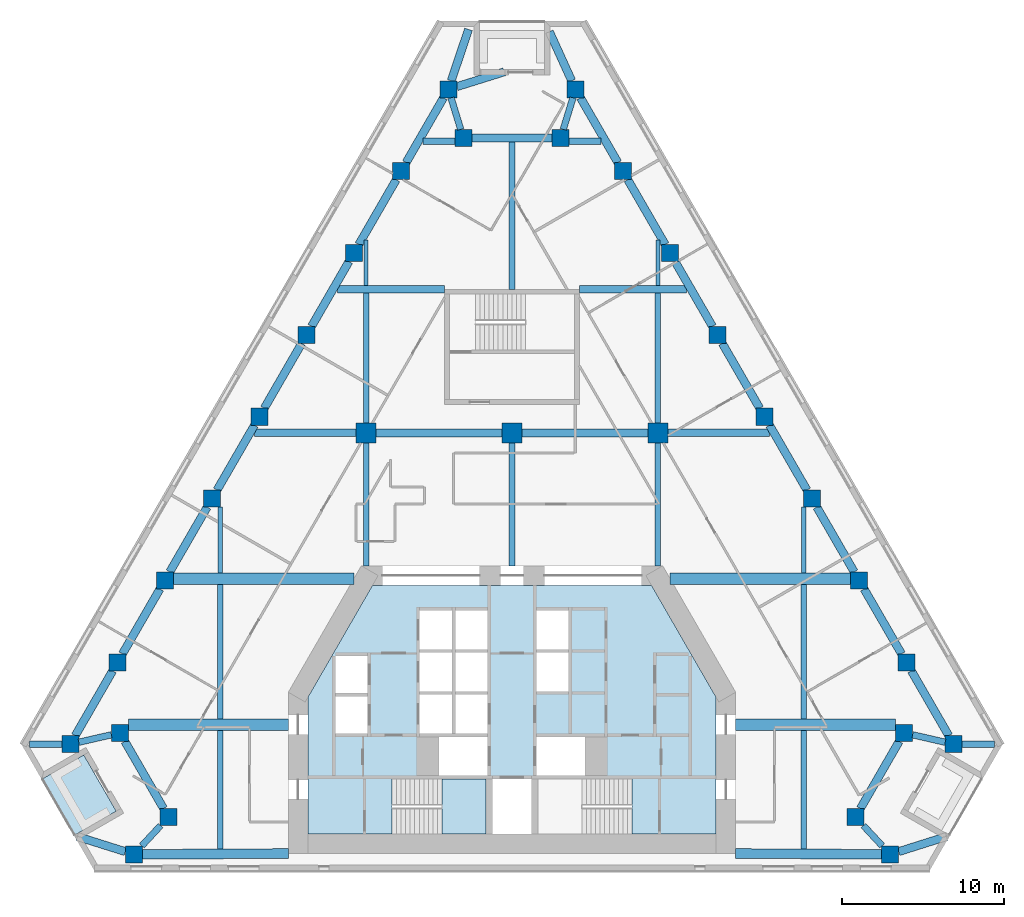
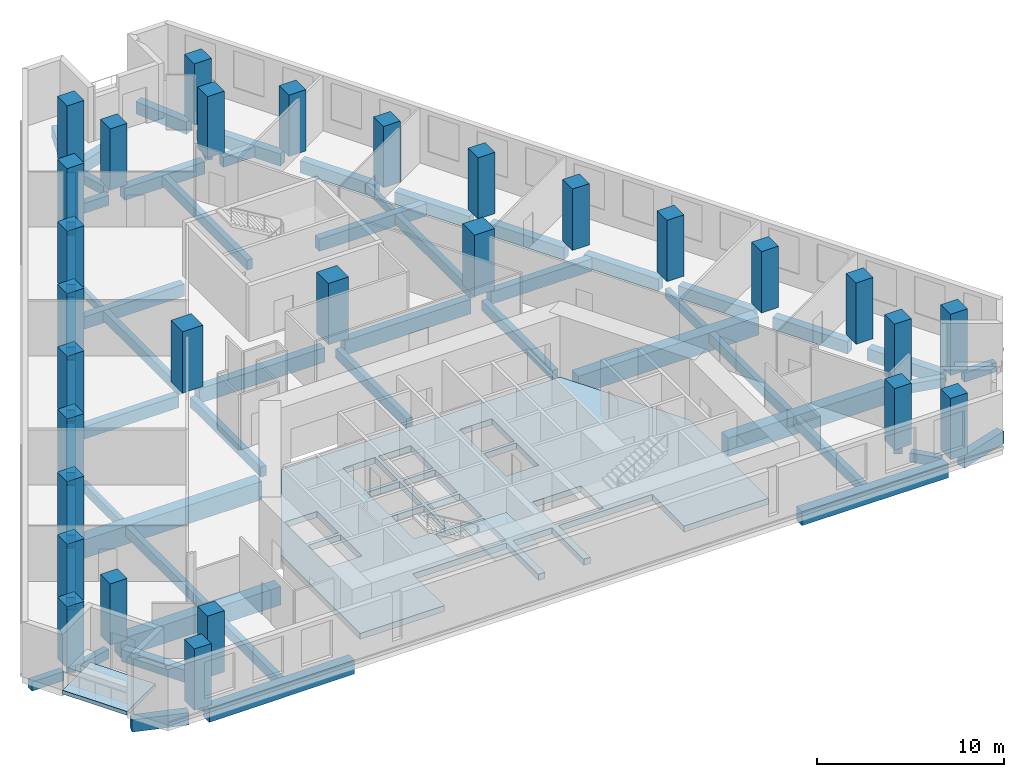
# One storey, part 1 of 10: 60 beams, 29 columns, 3 slabs, 1 element without a shape of its own.
"""IFC4 building model written with IfcOpenShell, lengths in metres."""

from ifc_helpers import new_model, si_unit, direction, frame, origin, origin_2d, place, context, subcontext, project, spatial, polyline, rectangle, outline, extrude, material, layer, layer_set, material_profile, profile_set, type_object, element, aggregate, save


model = new_model("IFC4")

# Units and contexts
model_context = context("Model", 3, precision=1e-05, world=origin(), true_north=direction((0.0, 1.0)))
body_context = subcontext(model_context, "Body", "Model", "MODEL_VIEW")
ifc_project = project(units=[si_unit("LENGTHUNIT", "METRE"), si_unit("AREAUNIT", "SQUARE_METRE"), si_unit("VOLUMEUNIT", "CUBIC_METRE"), si_unit("PLANEANGLEUNIT", "RADIAN"), si_unit("MASSUNIT", "GRAM", prefix="KILO")], contexts=[model_context])

# Site, building, storey
site_placement = place(None, origin())
site = spatial("IfcSite", under=ifc_project, at=site_placement, CompositionType="ELEMENT")
building_placement = place(site_placement, origin())
building = spatial("IfcBuilding", under=site, at=building_placement, Name="Fogline Exchange Tower", CompositionType="ELEMENT")
storey_placement = place(building_placement, frame((0.0, 0.0, 112.10009765625)))
storey = spatial("IfcBuildingStorey", under=building, at=storey_placement, Name="L24", CompositionType="ELEMENT", Elevation=112.10009765625)

# Columns
ifc_material_1 = material(Name="Concrete C70", Category="concrete")
ifc_material_profile_1 = material_profile(ifc_material_1, rectangle(XDim=1.25, YDim=1.25, at=origin_2d()), Name="RC 1250x1250")
ifc_profile_set_1 = profile_set([ifc_material_profile_1], Name="Concrete C70")
column_type_1 = type_object("IfcColumnType", Name="C03", PredefinedType="COLUMN", material=ifc_profile_set_1)
for number, where, z_axis, x_axis, name in (
    (1, (-9.0, 27.0, 0.0), (0.0, 0.0, 1.0), (1.0, 0.0, 0.0), "IC--9-27"),
    (2, (0.0, 27.0, 0.0), (0.0, 0.0, 1.0), (1.0, 0.0, 0.0), "IC-0-27"),
    (3, (9.0, 27.0, 0.0), (0.0, 0.0, 1.0), (1.0, 0.0, 0.0), "IC-9-27"),
):
    element("IfcColumn", number, at=place(storey_placement, frame(where, z_axis=z_axis, x_axis=x_axis)), inside=storey, type_object=column_type_1, Name=name, PredefinedType="COLUMN", context=body_context, shape_type="SweptSolid", body=[
        extrude(rectangle(XDim=1.25, YDim=1.25, at=origin_2d()), origin(), (0.0, 0.0, 1.0), 4.0),
    ])
ifc_material_profile_2 = material_profile(ifc_material_1, rectangle(XDim=1.050048828125, YDim=1.050048828125, at=origin_2d()), Name="RC 1050x1050")
ifc_profile_set_2 = profile_set([ifc_material_profile_2], Name="Concrete C70")
column_type_2 = type_object("IfcColumnType", Name="C04", PredefinedType="COLUMN", material=ifc_profile_set_2)
for number, where, z_axis, x_axis, name in (
    (4, (-27.2490234375, 7.794189453125, 0.0), (0.0, 0.0, 1.0), (1.0, 0.0, 0.0), "SW-a"),
    (5, (-24.189697265625, 8.4951171875, 0.0), (0.0, 0.0, 1.0), (1.0, 0.0, 0.0), "SW-p4"),
    (6, (-21.189697265625, 3.299072265625, 0.0), (0.0, 0.0, 1.0), (1.0, 0.0, 0.0), "SW-p3"),
    (7, (-23.326416015625, 1.0, 0.0), (0.0, 0.0, 1.0), (1.0, 0.0, 0.0), "SW-b"),
    (8, (23.326416015625, 1.0, 0.0), (0.0, 0.0, 1.0), (1.0, 0.0, 0.0), "SE-a"),
    (9, (21.189697265625, 3.299072265625, 0.0), (0.0, 0.0, 1.0), (1.0, 0.0, 0.0), "SE-p4"),
    (10, (24.189697265625, 8.4951171875, 0.0), (0.0, 0.0, 1.0), (1.0, 0.0, 0.0), "SE-p3"),
    (11, (27.2490234375, 7.794189453125, 0.0), (0.0, 0.0, 1.0), (1.0, 0.0, 0.0), "SE-b"),
    (12, (24.333251953125, 12.844482421875, 0.0), (0.0, 0.0, 1.0), (1.0, 0.0, 0.0), "E1"),
    (13, (21.41748046875, 17.894775390625, 0.0), (0.0, 0.0, 1.0), (1.0, 0.0, 0.0), "E2"),
    (14, (18.501708984375, 22.945068359375, 0.0), (0.0, 0.0, 1.0), (1.0, 0.0, 0.0), "E3"),
    (15, (15.585693359375, 27.995361328125, 0.0), (0.0, 0.0, 1.0), (1.0, 0.0, 0.0), "E4"),
    (16, (12.669921875, 33.045654296875, 0.0), (0.0, 0.0, 1.0), (1.0, 0.0, 0.0), "E5"),
    (17, (9.754150390625, 38.095947265625, 0.0), (0.0, 0.0, 1.0), (1.0, 0.0, 0.0), "E6"),
    (18, (6.83837890625, 43.146240234375, 0.0), (0.0, 0.0, 1.0), (1.0, 0.0, 0.0), "E7"),
    (19, (3.922607421875, 48.19677734375, 0.0), (0.0, 0.0, 1.0), (1.0, 0.0, 0.0), "N-a"),
    (20, (3.0, 45.19677734375, 0.0), (0.0, 0.0, 1.0), (1.0, 0.0, 0.0), "N-p4"),
    (21, (-3.0, 45.19677734375, 0.0), (0.0, 0.0, 1.0), (1.0, 0.0, 0.0), "N-p3"),
    (22, (-3.922607421875, 48.19677734375, 0.0), (0.0, 0.0, 1.0), (1.0, 0.0, 0.0), "N-b"),
    (23, (-6.83837890625, 43.146240234375, 0.0), (0.0, 0.0, 1.0), (1.0, 0.0, 0.0), "W1"),
    (24, (-9.754150390625, 38.095947265625, 0.0), (0.0, 0.0, 1.0), (1.0, 0.0, 0.0), "W2"),
    (25, (-12.669921875, 33.045654296875, 0.0), (0.0, 0.0, 1.0), (1.0, 0.0, 0.0), "W3"),
    (26, (-15.585693359375, 27.995361328125, 0.0), (0.0, 0.0, 1.0), (1.0, 0.0, 0.0), "W4"),
    (27, (-18.501708984375, 22.945068359375, 0.0), (0.0, 0.0, 1.0), (1.0, 0.0, 0.0), "W5"),
    (28, (-21.41748046875, 17.894775390625, 0.0), (0.0, 0.0, 1.0), (1.0, 0.0, 0.0), "W6"),
    (29, (-24.333251953125, 12.844482421875, 0.0), (0.0, 0.0, 1.0), (1.0, 0.0, 0.0), "W7"),
):
    element("IfcColumn", number, at=place(storey_placement, frame(where, z_axis=z_axis, x_axis=x_axis)), inside=storey, type_object=column_type_2, Name=name, PredefinedType="COLUMN", context=body_context, shape_type="SweptSolid", body=[
        extrude(rectangle(XDim=1.050048828125, YDim=1.050048828125, at=origin_2d()), origin(), (0.0, 0.0, 1.0), 4.0),
    ])

# Beams
ifc_material_2 = material(Name="Concrete C40", Category="concrete")
ifc_material_profile_3 = material_profile(ifc_material_2, rectangle(XDim=0.300048828125, YDim=0.60009765625, at=origin_2d()), Name="RC 300x600")
ifc_profile_set_3 = profile_set([ifc_material_profile_3], Name="Concrete C40")
beam_type_1 = type_object("IfcBeamType", Name="B06", PredefinedType="BEAM", material=ifc_profile_set_3)
for number, where, z_axis, x_axis, name in (
    (30, (-18.0, 18.35009765625, -0.7001953125), (0.0, 1.0, 0.0), (-1.0, 0.0, 0.0), "SB003"),
    (31, (18.0, 18.35009765625, -0.7001953125), (0.0, 1.0, 0.0), (-1.0, 0.0, 0.0), "SB014"),
):
    element("IfcBeam", number, at=place(storey_placement, frame(where, z_axis=z_axis, x_axis=x_axis)), inside=storey, type_object=beam_type_1, Name=name, PredefinedType="BEAM", context=body_context, shape_type="SweptSolid", body=[
        extrude(rectangle(XDim=0.300048828125, YDim=0.60009765625, at=origin_2d()), origin(), (0.0, 0.0, 1.0), 4.070068359375),
    ])
ifc_material_profile_4 = material_profile(ifc_material_2, rectangle(XDim=0.25, YDim=0.5, at=origin_2d()), Name="RC 250x500")
ifc_profile_set_4 = profile_set([ifc_material_profile_4], Name="Concrete C40")
beam_type_2 = type_object("IfcBeamType", Name="B08", PredefinedType="BEAM", material=ifc_profile_set_4)
for number, where, z_axis, x_axis, name in (
    (32, (-9.0, 36.08203125, -0.650146484375), (0.0, 1.0, 0.0), (-1.0, 0.0, 0.0), "SB006"),
    (33, (9.0, 36.08203125, -0.650146484375), (0.0, 1.0, 0.0), (-1.0, 0.0, 0.0), "SB011"),
):
    element("IfcBeam", number, at=place(storey_placement, frame(where, z_axis=z_axis, x_axis=x_axis)), inside=storey, type_object=beam_type_2, Name=name, PredefinedType="BEAM", context=body_context, shape_type="SweptSolid", body=[
        extrude(rectangle(XDim=0.25, YDim=0.5, at=origin_2d()), origin(), (0.0, 0.0, 1.0), 2.8203125),
    ])
ifc_material_profile_5 = material_profile(ifc_material_2, rectangle(XDim=0.60009765625, YDim=0.89990234375, at=origin_2d()), Name="RC 600x900")
ifc_profile_set_5 = profile_set([ifc_material_profile_5], Name="Concrete C40")
beam_type_3 = type_object("IfcBeamType", Name="B09", PredefinedType="BEAM", material=ifc_profile_set_5)
for number, where, z_axis, x_axis, name in (
    (34, (-22.801513671875, 1.0, -0.85009765625), (0.999984543136, 0.005559990001, 0.0), (-0.005559990001, 0.999984543136, 0.0), "RB004"),
    (35, (13.800048828125, 1.050048828125, -0.85009765625), (0.999984543136, -0.005559990001, 0.0), (0.005559990001, 0.999984543136, 0.0), "RB005"),
):
    element("IfcBeam", number, at=place(storey_placement, frame(where, z_axis=z_axis, x_axis=x_axis)), inside=storey, type_object=beam_type_3, Name=name, PredefinedType="BEAM", context=body_context, shape_type="SweptSolid", body=[
        extrude(rectangle(XDim=0.60009765625, YDim=0.89990234375, at=origin_2d()), origin(), (0.0, 0.0, 1.0), 9.001708984375),
    ])
ifc_material_profile_6 = material_profile(ifc_material_2, rectangle(XDim=0.5, YDim=0.800048828125, at=origin_2d()), Name="RC 500x800")
ifc_profile_set_6 = profile_set([ifc_material_profile_6], Name="Concrete C40")
beam_type_4 = type_object("IfcBeamType", Name="B10", PredefinedType="BEAM", material=ifc_profile_set_6)
for number, where, z_axis, x_axis, name in (
    (36, (-23.886474609375, 7.97021484375, -0.800048828125), (0.499994660107, -0.866028486751, 0.0), (0.866028486751, 0.499994660107, 0.0), "RB002"),
    (37, (21.49267578125, 3.823974609375, -0.800048828125), (0.499994660107, 0.866028486751, 0.0), (-0.866028486751, 0.499994660107, 0.0), "RB007"),
):
    element("IfcBeam", number, at=place(storey_placement, frame(where, z_axis=z_axis, x_axis=x_axis)), inside=storey, type_object=beam_type_4, Name=name, PredefinedType="BEAM", context=body_context, shape_type="SweptSolid", body=[
        extrude(rectangle(XDim=0.5, YDim=0.800048828125, at=origin_2d()), origin(), (0.0, 0.0, 1.0), 4.78759765625),
    ])
for number, where, z_axis, x_axis, name in (
    (38, (26.94580078125, 8.319091796875, -0.800048828125), (-0.499981705991, 0.866035965578, 0.0), (-0.866035965578, -0.499981705991, 0.0), "RB009"),
    (39, (24.030029296875, 13.369384765625, -0.800048828125), (-0.499981705991, 0.866035965578, 0.0), (-0.866035965578, -0.499981705991, 0.0), "RB010"),
):
    element("IfcBeam", number, at=place(storey_placement, frame(where, z_axis=z_axis, x_axis=x_axis)), inside=storey, type_object=beam_type_4, Name=name, PredefinedType="BEAM", context=body_context, shape_type="SweptSolid", body=[
        extrude(rectangle(XDim=0.5, YDim=0.800048828125, at=origin_2d()), origin(), (0.0, 0.0, 1.0), 4.619384765625),
    ])
for number, where, z_axis, x_axis, name in (
    (40, (21.1142578125, 18.419921875, -0.800048828125), (-0.500004591975, 0.86602275259, 0.0), (-0.86602275259, -0.500004591975, 0.0), "RB011"),
    (41, (18.198486328125, 23.47021484375, -0.800048828125), (-0.500004591975, 0.86602275259, 0.0), (-0.86602275259, -0.500004591975, 0.0), "RB012"),
    (42, (15.28271484375, 28.5205078125, -0.800048828125), (-0.500004591975, 0.86602275259, 0.0), (-0.86602275259, -0.500004591975, 0.0), "RB013"),
    (43, (12.366943359375, 33.57080078125, -0.800048828125), (-0.500004591975, 0.86602275259, 0.0), (-0.86602275259, -0.500004591975, 0.0), "RB014"),
    (44, (9.451171875, 38.62109375, -0.800048828125), (-0.500004591975, 0.86602275259, 0.0), (-0.86602275259, -0.500004591975, 0.0), "RB015"),
    (45, (6.535400390625, 43.67138671875, -0.800048828125), (-0.500004591975, 0.86602275259, 0.0), (-0.86602275259, -0.500004591975, 0.0), "RB016"),
):
    element("IfcBeam", number, at=place(storey_placement, frame(where, z_axis=z_axis, x_axis=x_axis)), inside=storey, type_object=beam_type_4, Name=name, PredefinedType="BEAM", context=body_context, shape_type="SweptSolid", body=[
        extrude(rectangle(XDim=0.5, YDim=0.800048828125, at=origin_2d()), origin(), (0.0, 0.0, 1.0), 4.619140625),
    ])
beam_1_placement = place(storey_placement, frame((2.47509765625, 45.19677734375, -0.800048828125), z_axis=(-1.0, 0.0, 0.0), x_axis=(0.0, -1.0, 0.0)))
element("IfcBeam", 46, at=beam_1_placement, inside=storey, type_object=beam_type_4, Name="RB018", PredefinedType="BEAM", context=body_context, shape_type="SweptSolid", body=[
    extrude(rectangle(XDim=0.5, YDim=0.800048828125, at=origin_2d()), origin(), (0.0, 0.0, 1.0), 4.9501953125),
])
for number, where, z_axis, x_axis, name in (
    (47, (-4.225830078125, 47.671630859375, -0.800048828125), (-0.500004591975, -0.86602275259, 0.0), (0.86602275259, -0.500004591975, 0.0), "RB020"),
    (48, (-7.1416015625, 42.621337890625, -0.800048828125), (-0.500004591975, -0.86602275259, 0.0), (0.86602275259, -0.500004591975, 0.0), "RB021"),
    (49, (-10.057373046875, 37.571044921875, -0.800048828125), (-0.500004591975, -0.86602275259, 0.0), (0.86602275259, -0.500004591975, 0.0), "RB022"),
    (50, (-12.97314453125, 32.520751953125, -0.800048828125), (-0.500004591975, -0.86602275259, 0.0), (0.86602275259, -0.500004591975, 0.0), "RB023"),
    (51, (-15.888916015625, 27.470458984375, -0.800048828125), (-0.500004591975, -0.86602275259, 0.0), (0.86602275259, -0.500004591975, 0.0), "RB024"),
    (52, (-18.8046875, 22.420166015625, -0.800048828125), (-0.500004591975, -0.86602275259, 0.0), (0.86602275259, -0.500004591975, 0.0), "RB025"),
):
    element("IfcBeam", number, at=place(storey_placement, frame(where, z_axis=z_axis, x_axis=x_axis)), inside=storey, type_object=beam_type_4, Name=name, PredefinedType="BEAM", context=body_context, shape_type="SweptSolid", body=[
        extrude(rectangle(XDim=0.5, YDim=0.800048828125, at=origin_2d()), origin(), (0.0, 0.0, 1.0), 4.619140625),
    ])
for number, where, z_axis, x_axis, name in (
    (53, (-21.720458984375, 17.369873046875, -0.800048828125), (-0.499981705991, -0.866035965578, 0.0), (0.866035965578, -0.499981705991, 0.0), "RB026"),
    (54, (-24.63623046875, 12.319580078125, -0.800048828125), (-0.499981705991, -0.866035965578, 0.0), (0.866035965578, -0.499981705991, 0.0), "RB027"),
):
    element("IfcBeam", number, at=place(storey_placement, frame(where, z_axis=z_axis, x_axis=x_axis)), inside=storey, type_object=beam_type_4, Name=name, PredefinedType="BEAM", context=body_context, shape_type="SweptSolid", body=[
        extrude(rectangle(XDim=0.5, YDim=0.800048828125, at=origin_2d()), origin(), (0.0, 0.0, 1.0), 4.619384765625),
    ])
beam_2_placement = place(storey_placement, frame((3.68359375, 48.7216796875, -0.800048828125), z_axis=(-0.414295533149, 0.9101424126, 0.0), x_axis=(-0.9101424126, -0.414295533149, 0.0)))
element("IfcBeam", 55, at=beam_2_placement, inside=storey, type_object=beam_type_4, Name="SP028", PredefinedType="BEAM", context=body_context, shape_type="SweptSolid", body=[
    extrude(rectangle(XDim=0.5, YDim=0.800048828125, at=origin_2d()), origin(), (0.0, 0.0, 1.0), 3.322998046875),
])
beam_3_placement = place(storey_placement, frame((-3.74658203125, 48.7216796875, -0.800048828125), z_axis=(0.317890789152, 0.948127336476, 0.0), x_axis=(-0.948127336476, 0.317890789152, 0.0)))
element("IfcBeam", 56, at=beam_3_placement, inside=storey, type_object=beam_type_4, Name="SP029", PredefinedType="BEAM", context=body_context, shape_type="SweptSolid", body=[
    extrude(rectangle(XDim=0.5, YDim=0.800048828125, at=origin_2d()), origin(), (0.0, 0.0, 1.0), 3.34619140625),
])
beam_4_placement = place(storey_placement, frame((23.851318359375, 1.166015625, -0.800048828125), z_axis=(0.953529245217, 0.301300478786, 0.0), x_axis=(-0.301300478786, 0.953529245217, 0.0)))
element("IfcBeam", 57, at=beam_4_placement, inside=storey, type_object=beam_type_4, Name="SP030", PredefinedType="BEAM", context=body_context, shape_type="SweptSolid", body=[
    extrude(rectangle(XDim=0.5, YDim=0.800048828125, at=origin_2d()), origin(), (0.0, 0.0, 1.0), 3.109130859375),
])
beam_5_placement = place(storey_placement, frame((-23.851318359375, 1.165283203125, -0.800048828125), z_axis=(-0.953910372128, 0.300091655909, 0.0), x_axis=(-0.300091655909, -0.953910372128, 0.0)))
element("IfcBeam", 58, at=beam_5_placement, inside=storey, type_object=beam_type_4, Name="SP031", PredefinedType="BEAM", context=body_context, shape_type="SweptSolid", body=[
    extrude(rectangle(XDim=0.5, YDim=0.800048828125, at=origin_2d()), origin(), (0.0, 0.0, 1.0), 3.113525390625),
])
beam_6_placement = place(storey_placement, frame((-3.397705078125, 48.36083984375, -0.800048828125), z_axis=(0.954474292047, 0.298293187689, 0.0), x_axis=(-0.298293187689, 0.954474292047, 0.0)))
element("IfcBeam", 59, at=beam_6_placement, inside=storey, type_object=beam_type_4, Name="SP034", PredefinedType="BEAM", context=body_context, shape_type="SweptSolid", body=[
    extrude(rectangle(XDim=0.5, YDim=0.800048828125, at=origin_2d()), origin(), (0.0, 0.0, 1.0), 3.05615234375),
])
ifc_material_profile_7 = material_profile(ifc_material_2, rectangle(XDim=0.39990234375, YDim=0.60009765625, at=origin_2d()), Name="RC 400x600")
ifc_profile_set_7 = profile_set([ifc_material_profile_7], Name="Concrete C40")
beam_type_5 = type_object("IfcBeamType", Name="B11", PredefinedType="BEAM", material=ifc_profile_set_7)
beam_7_placement = place(storey_placement, frame((-26.72412109375, 7.91455078125, -0.7001953125), z_axis=(0.974739301343, 0.223345683676, 0.0), x_axis=(-0.223345683676, 0.974739301343, 0.0)))
element("IfcBeam", 60, at=beam_7_placement, inside=storey, type_object=beam_type_5, Name="RB001", PredefinedType="BEAM", context=body_context, shape_type="SweptSolid", body=[
    extrude(rectangle(XDim=0.39990234375, YDim=0.60009765625, at=origin_2d()), origin(), (0.0, 0.0, 1.0), 2.0615234375),
])
for number, where, z_axis, x_axis, name in (
    (61, (-21.677490234375, 2.77392578125, -0.7001953125), (-0.680791505026, -0.732477253357, 0.0), (0.732477253357, -0.680791505026, 0.0), "RB003"),
    (62, (22.83837890625, 1.52490234375, -0.7001953125), (-0.680791505026, 0.732477253357, 0.0), (-0.732477253357, -0.680791505026, 0.0), "RB006"),
):
    element("IfcBeam", number, at=place(storey_placement, frame(where, z_axis=z_axis, x_axis=x_axis)), inside=storey, type_object=beam_type_5, Name=name, PredefinedType="BEAM", context=body_context, shape_type="SweptSolid", body=[
        extrude(rectangle(XDim=0.39990234375, YDim=0.60009765625, at=origin_2d()), origin(), (0.0, 0.0, 1.0), 1.705322265625),
    ])
beam_8_placement = place(storey_placement, frame((24.714599609375, 8.375, -0.7001953125), z_axis=(0.974739301343, -0.223345683676, 0.0), x_axis=(0.223345683676, 0.974739301343, 0.0)))
element("IfcBeam", 63, at=beam_8_placement, inside=storey, type_object=beam_type_5, Name="RB008", PredefinedType="BEAM", context=body_context, shape_type="SweptSolid", body=[
    extrude(rectangle(XDim=0.39990234375, YDim=0.60009765625, at=origin_2d()), origin(), (0.0, 0.0, 1.0), 2.0615234375),
])
for number, where, z_axis, x_axis, name in (
    (64, (3.76123046875, 47.671630859375, -0.7001953125), (-0.293917654764, -0.955830744545, 0.0), (0.955830744545, -0.293917654764, 0.0), "RB017"),
    (65, (-3.16162109375, 45.7216796875, -0.7001953125), (-0.293917654764, 0.955830744545, 0.0), (-0.955830744545, -0.293917654764, 0.0), "RB019"),
):
    element("IfcBeam", number, at=place(storey_placement, frame(where, z_axis=z_axis, x_axis=x_axis)), inside=storey, type_object=beam_type_5, Name=name, PredefinedType="BEAM", context=body_context, shape_type="SweptSolid", body=[
        extrude(rectangle(XDim=0.39990234375, YDim=0.60009765625, at=origin_2d()), origin(), (0.0, 0.0, 1.0), 2.0400390625),
    ])
beam_9_placement = place(storey_placement, frame((-27.77392578125, 7.794189453125, -0.7001953125), z_axis=(-1.0, 0.0, 0.0), x_axis=(0.0, -1.0, 0.0)))
element("IfcBeam", 66, at=beam_9_placement, inside=storey, type_object=beam_type_5, Name="SP032", PredefinedType="BEAM", context=body_context, shape_type="SweptSolid", body=[
    extrude(rectangle(XDim=0.39990234375, YDim=0.60009765625, at=origin_2d()), origin(), (0.0, 0.0, 1.0), 1.99169921875),
])
beam_10_placement = place(storey_placement, frame((27.77392578125, 7.79541015625, -0.7001953125), z_axis=(0.999998070107, 0.001964632751, 0.0), x_axis=(-0.001964632751, 0.999998070107, 0.0)))
element("IfcBeam", 67, at=beam_10_placement, inside=storey, type_object=beam_type_5, Name="SP033", PredefinedType="BEAM", context=body_context, shape_type="SweptSolid", body=[
    extrude(rectangle(XDim=0.39990234375, YDim=0.60009765625, at=origin_2d()), origin(), (0.0, 0.0, 1.0), 1.98828125),
])
ifc_material_profile_8 = material_profile(ifc_material_2, rectangle(XDim=0.39990234375, YDim=0.64990234375, at=origin_2d()), Name="RC 400x650")
ifc_profile_set_8 = profile_set([ifc_material_profile_8], Name="Concrete C40")
beam_type_6 = type_object("IfcBeamType", Name="B13", PredefinedType="BEAM", material=ifc_profile_set_8)
for number, where, z_axis, x_axis, name in (
    (68, (-5.4794921875, 45.0, -0.72509765625), (1.0, 0.0, 0.0), (0.0, 1.0, 0.0), "GB011"),
    (69, (3.52490234375, 45.0, -0.72509765625), (1.0, 0.0, 0.0), (0.0, 1.0, 0.0), "GB012"),
):
    element("IfcBeam", number, at=place(storey_placement, frame(where, z_axis=z_axis, x_axis=x_axis)), inside=storey, type_object=beam_type_6, Name=name, PredefinedType="BEAM", context=body_context, shape_type="SweptSolid", body=[
        extrude(rectangle(XDim=0.39990234375, YDim=0.64990234375, at=origin_2d()), origin(), (0.0, 0.0, 1.0), 1.95458984375),
    ])
ifc_material_profile_9 = material_profile(ifc_material_2, rectangle(XDim=0.5, YDim=0.949951171875, at=origin_2d()), Name="RC 500x950")
ifc_profile_set_9 = profile_set([ifc_material_profile_9], Name="Concrete C40")
beam_type_7 = type_object("IfcBeamType", Name="B14", PredefinedType="BEAM", material=ifc_profile_set_9)
for number, where, z_axis, x_axis, name in (
    (70, (-8.375, 27.0, -0.875), (1.0, 0.0, 0.0), (0.0, 1.0, 0.0), "GB006"),
    (71, (0.625, 27.0, -0.875), (1.0, 0.0, 0.0), (0.0, 1.0, 0.0), "GB007"),
):
    element("IfcBeam", number, at=place(storey_placement, frame(where, z_axis=z_axis, x_axis=x_axis)), inside=storey, type_object=beam_type_7, Name=name, PredefinedType="BEAM", context=body_context, shape_type="SweptSolid", body=[
        extrude(rectangle(XDim=0.5, YDim=0.949951171875, at=origin_2d()), origin(), (0.0, 0.0, 1.0), 7.75),
    ])
ifc_material_profile_10 = material_profile(ifc_material_2, rectangle(XDim=0.35009765625, YDim=0.64990234375, at=origin_2d()), Name="RC 350x650")
ifc_profile_set_10 = profile_set([ifc_material_profile_10], Name="Concrete C40")
beam_type_8 = type_object("IfcBeamType", Name="B16", PredefinedType="BEAM", material=ifc_profile_set_10)
beam_11_placement = place(storey_placement, frame((-18.0, 1.327880859375, -0.72509765625), z_axis=(0.0, 1.0, 0.0), x_axis=(-1.0, 0.0, 0.0)))
element("IfcBeam", 72, at=beam_11_placement, inside=storey, type_object=beam_type_8, Name="SB001", PredefinedType="BEAM", context=body_context, shape_type="SweptSolid", body=[
    extrude(rectangle(XDim=0.35009765625, YDim=0.64990234375, at=origin_2d()), origin(), (0.0, 0.0, 1.0), 7.322021484375),
])
beam_12_placement = place(storey_placement, frame((-18.0, 9.35009765625, -0.72509765625), z_axis=(0.0, 1.0, 0.0), x_axis=(-1.0, 0.0, 0.0)))
element("IfcBeam", 73, at=beam_12_placement, inside=storey, type_object=beam_type_8, Name="SB002", PredefinedType="BEAM", context=body_context, shape_type="SweptSolid", body=[
    extrude(rectangle(XDim=0.35009765625, YDim=0.64990234375, at=origin_2d()), origin(), (0.0, 0.0, 1.0), 8.2998046875),
])
beam_13_placement = place(storey_placement, frame((-9.0, 18.800048828125, -0.72509765625), z_axis=(0.0, 1.0, 0.0), x_axis=(-1.0, 0.0, 0.0)))
element("IfcBeam", 74, at=beam_13_placement, inside=storey, type_object=beam_type_8, Name="SB004", PredefinedType="BEAM", context=body_context, shape_type="SweptSolid", body=[
    extrude(rectangle(XDim=0.35009765625, YDim=0.64990234375, at=origin_2d()), origin(), (0.0, 0.0, 1.0), 7.574951171875),
])
beam_14_placement = place(storey_placement, frame((-9.0, 27.625, -0.72509765625), z_axis=(0.0, 1.0, 0.0), x_axis=(-1.0, 0.0, 0.0)))
element("IfcBeam", 75, at=beam_14_placement, inside=storey, type_object=beam_type_8, Name="SB005", PredefinedType="BEAM", context=body_context, shape_type="SweptSolid", body=[
    extrude(rectangle(XDim=0.35009765625, YDim=0.64990234375, at=origin_2d()), origin(), (0.0, 0.0, 1.0), 8.007080078125),
])
beam_15_placement = place(storey_placement, frame((0.0, 18.800048828125, -0.72509765625), z_axis=(0.0, 1.0, 0.0), x_axis=(-1.0, 0.0, 0.0)))
element("IfcBeam", 76, at=beam_15_placement, inside=storey, type_object=beam_type_8, Name="SB007", PredefinedType="BEAM", context=body_context, shape_type="SweptSolid", body=[
    extrude(rectangle(XDim=0.35009765625, YDim=0.64990234375, at=origin_2d()), origin(), (0.0, 0.0, 1.0), 7.574951171875),
])
beam_16_placement = place(storey_placement, frame((0.0, 35.85693359375, -0.72509765625), z_axis=(0.0, 1.0, 0.0), x_axis=(-1.0, 0.0, 0.0)))
element("IfcBeam", 77, at=beam_16_placement, inside=storey, type_object=beam_type_8, Name="SB008", PredefinedType="BEAM", context=body_context, shape_type="SweptSolid", body=[
    extrude(rectangle(XDim=0.35009765625, YDim=0.64990234375, at=origin_2d()), origin(), (0.0, 0.0, 1.0), 9.08984375),
])
beam_17_placement = place(storey_placement, frame((9.0, 18.800048828125, -0.72509765625), z_axis=(0.0, 1.0, 0.0), x_axis=(-1.0, 0.0, 0.0)))
element("IfcBeam", 78, at=beam_17_placement, inside=storey, type_object=beam_type_8, Name="SB009", PredefinedType="BEAM", context=body_context, shape_type="SweptSolid", body=[
    extrude(rectangle(XDim=0.35009765625, YDim=0.64990234375, at=origin_2d()), origin(), (0.0, 0.0, 1.0), 7.574951171875),
])
beam_18_placement = place(storey_placement, frame((9.0, 27.625, -0.72509765625), z_axis=(0.0, 1.0, 0.0), x_axis=(-1.0, 0.0, 0.0)))
element("IfcBeam", 79, at=beam_18_placement, inside=storey, type_object=beam_type_8, Name="SB010", PredefinedType="BEAM", context=body_context, shape_type="SweptSolid", body=[
    extrude(rectangle(XDim=0.35009765625, YDim=0.64990234375, at=origin_2d()), origin(), (0.0, 0.0, 1.0), 8.007080078125),
])
beam_19_placement = place(storey_placement, frame((18.0, 1.327880859375, -0.72509765625), z_axis=(0.0, 1.0, 0.0), x_axis=(-1.0, 0.0, 0.0)))
element("IfcBeam", 80, at=beam_19_placement, inside=storey, type_object=beam_type_8, Name="SB012", PredefinedType="BEAM", context=body_context, shape_type="SweptSolid", body=[
    extrude(rectangle(XDim=0.35009765625, YDim=0.64990234375, at=origin_2d()), origin(), (0.0, 0.0, 1.0), 7.322021484375),
])
beam_20_placement = place(storey_placement, frame((18.0, 9.35009765625, -0.72509765625), z_axis=(0.0, 1.0, 0.0), x_axis=(-1.0, 0.0, 0.0)))
element("IfcBeam", 81, at=beam_20_placement, inside=storey, type_object=beam_type_8, Name="SB013", PredefinedType="BEAM", context=body_context, shape_type="SweptSolid", body=[
    extrude(rectangle(XDim=0.35009765625, YDim=0.64990234375, at=origin_2d()), origin(), (0.0, 0.0, 1.0), 8.2998046875),
])
ifc_material_profile_11 = material_profile(ifc_material_2, rectangle(XDim=0.699951171875, YDim=1.199951171875, at=origin_2d()), Name="RC 700x1200")
ifc_profile_set_11 = profile_set([ifc_material_profile_11], Name="Concrete C40")
beam_type_9 = type_object("IfcBeamType", Name="B17", PredefinedType="BEAM", material=ifc_profile_set_11)
for number, where, z_axis, x_axis, name in (
    (82, (-23.66455078125, 9.0, -1.0), (1.0, 0.0, 0.0), (0.0, 1.0, 0.0), "GB001"),
    (83, (13.800048828125, 9.0, -1.0), (1.0, 0.0, 0.0), (0.0, 1.0, 0.0), "GB002"),
):
    element("IfcBeam", number, at=place(storey_placement, frame(where, z_axis=z_axis, x_axis=x_axis)), inside=storey, type_object=beam_type_9, Name=name, PredefinedType="BEAM", context=body_context, shape_type="SweptSolid", body=[
        extrude(rectangle(XDim=0.699951171875, YDim=1.199951171875, at=origin_2d()), origin(), (0.0, 0.0, 1.0), 9.864501953125),
    ])
for number, where, z_axis, x_axis, name in (
    (84, (-20.892333984375, 18.0, -1.0), (1.0, 0.0, 0.0), (0.0, 1.0, 0.0), "GB003"),
    (85, (9.758056640625, 18.0, -1.0), (1.0, 0.0, 0.0), (0.0, 1.0, 0.0), "GB004"),
):
    element("IfcBeam", number, at=place(storey_placement, frame(where, z_axis=z_axis, x_axis=x_axis)), inside=storey, type_object=beam_type_9, Name=name, PredefinedType="BEAM", context=body_context, shape_type="SweptSolid", body=[
        extrude(rectangle(XDim=0.699951171875, YDim=1.199951171875, at=origin_2d()), origin(), (0.0, 0.0, 1.0), 11.13427734375),
    ])
ifc_material_profile_12 = material_profile(ifc_material_2, rectangle(XDim=0.449951171875, YDim=0.800048828125, at=origin_2d()), Name="RC 450x800")
ifc_profile_set_12 = profile_set([ifc_material_profile_12], Name="Concrete C40")
beam_type_10 = type_object("IfcBeamType", Name="B18", PredefinedType="BEAM", material=ifc_profile_set_12)
for number, where, z_axis, x_axis, name in (
    (86, (-15.871826171875, 27.0, -0.800048828125), (1.0, 0.0, 0.0), (0.0, 1.0, 0.0), "GB005"),
    (87, (9.625, 27.0, -0.800048828125), (1.0, 0.0, 0.0), (0.0, 1.0, 0.0), "GB008"),
):
    element("IfcBeam", number, at=place(storey_placement, frame(where, z_axis=z_axis, x_axis=x_axis)), inside=storey, type_object=beam_type_10, Name=name, PredefinedType="BEAM", context=body_context, shape_type="SweptSolid", body=[
        extrude(rectangle(XDim=0.449951171875, YDim=0.800048828125, at=origin_2d()), origin(), (0.0, 0.0, 1.0), 6.246826171875),
    ])
for number, where, z_axis, x_axis, name in (
    (88, (-10.75830078125, 35.85693359375, -0.800048828125), (1.0, 0.0, 0.0), (0.0, 1.0, 0.0), "GB009"),
    (89, (4.14990234375, 35.85693359375, -0.800048828125), (1.0, 0.0, 0.0), (0.0, 1.0, 0.0), "GB010"),
):
    element("IfcBeam", number, at=place(storey_placement, frame(where, z_axis=z_axis, x_axis=x_axis)), inside=storey, type_object=beam_type_10, Name=name, PredefinedType="BEAM", context=body_context, shape_type="SweptSolid", body=[
        extrude(rectangle(XDim=0.449951171875, YDim=0.800048828125, at=origin_2d()), origin(), (0.0, 0.0, 1.0), 6.6083984375),
    ])

# Slabs
ifc_layer_1 = layer(ifc_material_2, 0.25)
ifc_layer_set_1 = layer_set([ifc_layer_1], Name="DK1")
slab_type_1 = type_object("IfcSlabType", Name="DK1", PredefinedType="FLOOR", material=ifc_layer_set_1)
slab_1_placement = place(storey_placement, frame((0.0, 0.0, -0.25)))
element("IfcSlab", 90, at=slab_1_placement, inside=storey, type_object=slab_type_1, Name="Balcony L24 SW", PredefinedType="FLOOR", context=body_context, shape_type="SweptSolid", body=[
    extrude(outline(polyline([(-29.015625, 5.629150390625), (-27.015625, 2.1650390625), (-24.41748046875, 3.6650390625), (-26.41748046875, 7.129150390625), (-29.015625, 5.629150390625)])), origin(), (0.0, 0.0, 1.0), 0.25),
])
ifc_layer_2 = layer(ifc_material_2, 0.39990234375)
ifc_layer_set_2 = layer_set([ifc_layer_2], Name="S03")
slab_type_2 = type_object("IfcSlabType", Name="S03", PredefinedType="FLOOR", material=ifc_layer_set_2)
slab_2_placement = place(storey_placement, frame((0.0, 0.0, -0.400146484375)))
element("IfcSlab", 91, at=slab_2_placement, inside=storey, type_object=slab_type_2, Name="Core floor slab", PredefinedType="FLOOR", context=body_context, shape_type="SweptSolid", body=[
    extrude(outline(polyline([(-12.60009765625, 2.25), (-12.60009765625, 10.677490234375), (-8.603271484375, 17.60009765625), (8.603271484375, 17.60009765625), (12.60009765625, 10.677490234375), (12.60009765625, 2.25), (7.389892578125, 2.25), (7.389892578125, 5.64990234375), (1.60009765625, 5.64990234375), (1.60009765625, 2.25), (1.199951171875, 2.25), (1.199951171875, 5.64990234375), (-1.199951171875, 5.64990234375), (-1.199951171875, 2.25), (-1.60009765625, 2.25), (-1.60009765625, 5.64990234375), (-7.389892578125, 5.64990234375), (-7.389892578125, 2.25), (-12.60009765625, 2.25)]), holes=[polyline([(-1.5, 8.25), (-4.5, 8.25), (-4.5, 5.85009765625), (-1.5, 5.85009765625), (-1.5, 8.25)]), polyline([(-8.89990234375, 10.75), (-10.89990234375, 10.75), (-10.89990234375, 8.449951171875), (-8.89990234375, 8.449951171875), (-8.89990234375, 10.75)]), polyline([(-3.699951171875, 10.85009765625), (-5.699951171875, 10.85009765625), (-5.699951171875, 8.449951171875), (-3.699951171875, 8.449951171875), (-3.699951171875, 10.85009765625)]), polyline([(-1.5, 10.85009765625), (-3.5, 10.85009765625), (-3.5, 8.449951171875), (-1.5, 8.449951171875), (-1.5, 10.85009765625)]), polyline([(-8.89990234375, 13.25), (-10.89990234375, 13.25), (-10.89990234375, 10.949951171875), (-8.89990234375, 10.949951171875), (-8.89990234375, 13.25)]), polyline([(-3.699951171875, 13.449951171875), (-5.699951171875, 13.449951171875), (-5.699951171875, 11.050048828125), (-3.699951171875, 11.050048828125), (-3.699951171875, 13.449951171875)]), polyline([(-3.699951171875, 16.050048828125), (-5.699951171875, 16.050048828125), (-5.699951171875, 13.64990234375), (-3.699951171875, 13.64990234375), (-3.699951171875, 16.050048828125)]), polyline([(4.5, 8.25), (1.5, 8.25), (1.5, 5.85009765625), (4.5, 5.85009765625), (4.5, 8.25)]), polyline([(-1.5, 13.449951171875), (-3.5, 13.449951171875), (-3.5, 11.050048828125), (-1.5, 11.050048828125), (-1.5, 13.449951171875)]), polyline([(3.5, 13.449951171875), (1.5, 13.449951171875), (1.5, 11.050048828125), (3.5, 11.050048828125), (3.5, 13.449951171875)]), polyline([(-1.5, 16.050048828125), (-3.5, 16.050048828125), (-3.5, 13.64990234375), (-1.5, 13.64990234375), (-1.5, 16.050048828125)]), polyline([(3.5, 16.050048828125), (1.5, 16.050048828125), (1.5, 13.64990234375), (3.5, 13.64990234375), (3.5, 16.050048828125)])]), origin(), (0.0, 0.0, 1.0), 0.400146484375),
])

# Stair, slab
stair_type = type_object("IfcStairType", Name="STR24-1667", PredefinedType="HALF_TURN_STAIR", material=ifc_material_2)
stair_placement = place(storey_placement, origin())
stair = element("IfcStair", 92, at=stair_placement, inside=storey, type_object=stair_type, Name="Stair ST1", PredefinedType="HALF_TURN_STAIR")
ifc_layer_3 = layer(ifc_material_2, 0.199951171875)
ifc_layer_set_3 = layer_set([ifc_layer_3], Name="SL200")
slab_type_3 = type_object("IfcSlabType", Name="SL200", PredefinedType="LANDING", material=ifc_layer_set_3)
slab_3_placement = place(storey_placement, frame((0.0, 0.0, 1.7998046875)))
slab_3 = element("IfcSlab", 93, at=slab_3_placement, type_object=slab_type_3, Name="ST1 landing 1", PredefinedType="LANDING", context=body_context, shape_type="SweptSolid", body=[
    extrude(outline(polyline([(-4.320068359375, 2.25), (-1.60009765625, 2.25), (-1.60009765625, 5.64990234375), (-4.320068359375, 5.64990234375), (-4.320068359375, 2.25)])), origin(), (0.0, 0.0, 1.0), 0.2001953125),
])
aggregate(stair, [slab_3])

save(model, "model.ifc")
